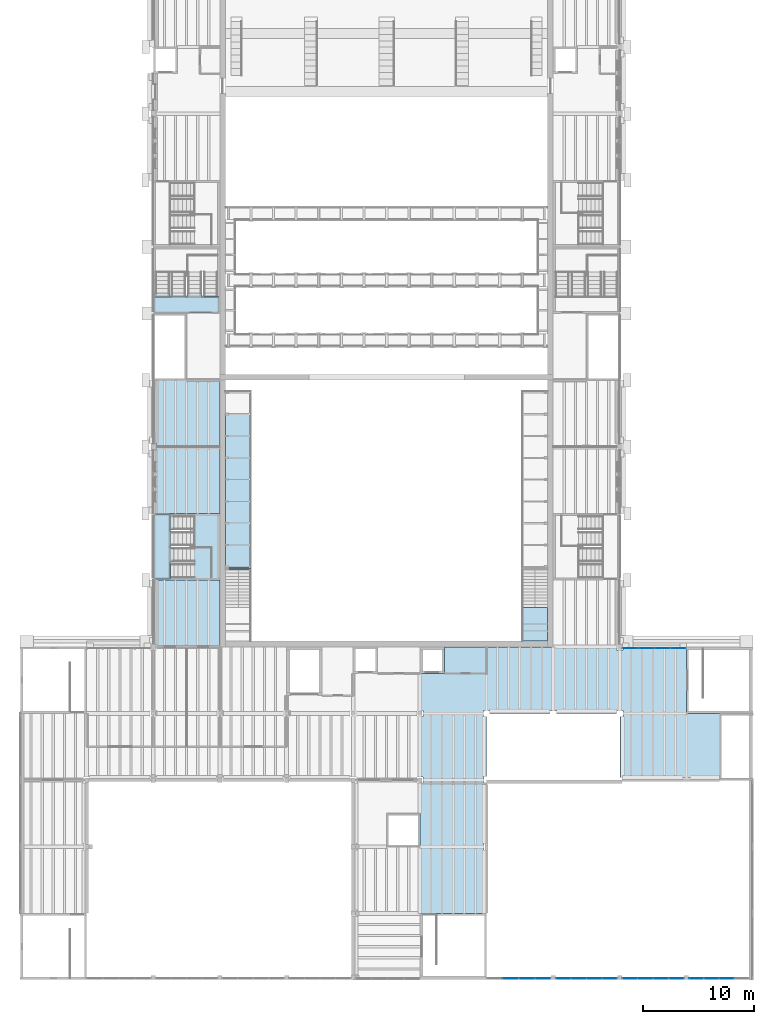
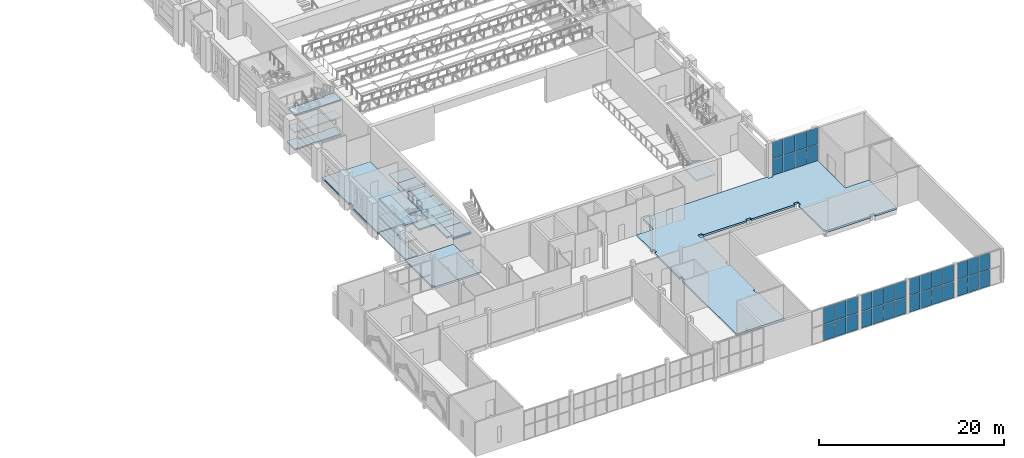
# One storey, part 18 of 70: 36 plates, 20 slabs, 8 elements without a shape of their own.
"""IFC4 building model written with IfcOpenShell, lengths in metres."""

from ifc_helpers import new_model, si_unit, direction, frame, origin, origin_2d, place, context, subcontext, project, spatial, polyline, rectangle, outline, extrude, material, layer, layer_set, type_object, element, aggregate, save


model = new_model("IFC4")

# Units and contexts
model_context = context("Model", 3, precision=1e-05, world=origin(), true_north=direction((0.0, 1.0)))
body_context = subcontext(model_context, "Body", "Model", "MODEL_VIEW")
ifc_project = project(units=[si_unit("LENGTHUNIT", "METRE"), si_unit("AREAUNIT", "SQUARE_METRE"), si_unit("VOLUMEUNIT", "CUBIC_METRE"), si_unit("PLANEANGLEUNIT", "RADIAN"), si_unit("MASSUNIT", "GRAM", prefix="KILO")], contexts=[model_context])

# Site, building, storey
site_placement = place(None, origin())
site = spatial("IfcSite", under=ifc_project, at=site_placement, CompositionType="ELEMENT")
building_placement = place(site_placement, origin())
building = spatial("IfcBuilding", under=site, at=building_placement, Name="Saffron Lane Theatres", CompositionType="ELEMENT")
storey_placement = place(building_placement, frame((0.0, 0.0, 12.0)))
storey = spatial("IfcBuildingStorey", under=building, at=storey_placement, Name="L02", CompositionType="ELEMENT", Elevation=12.0)

# Curtain wall, plates
ifc_material_1 = material(Name="Aluminium", Category="aluminium")
curtain_wall_type_1 = type_object("IfcCurtainWallType", Name="EX-CURTAIN WALL 5770x4500x160", PredefinedType="NOTDEFINED", material=ifc_material_1)
curtain_wall_1_placement = place(storey_placement, origin())
curtain_wall_1 = element("IfcCurtainWall", 1, at=curtain_wall_1_placement, inside=storey, type_object=curtain_wall_type_1, Name="Curtain wall L02 04", PredefinedType="NOTDEFINED")
ifc_material_2 = material(Name="Glass", Category="glass")
ifc_layer_1 = layer(ifc_material_2, 0.028076171875)
ifc_layer_set_1 = layer_set([ifc_layer_1], Name="Glass")
plate_type = type_object("IfcPlateType", Name="EX-CW PANEL GLAZING 28", PredefinedType="CURTAIN_PANEL", material=ifc_layer_set_1)
plate_1_placement = place(storey_placement, frame((54.9619140625, 29.8701171875, 0.06005859375), z_axis=(0.0, 0.0, 1.0), x_axis=(1.0, 0.0, 0.0)))
plate_1 = element("IfcPlate", 2, at=plate_1_placement, type_object=plate_type, Name="CW-02-04 panel 1.1", PredefinedType="CURTAIN_PANEL", context=body_context, shape_type="SweptSolid", body=[
    extrude(rectangle(XDim=1.353759765625, YDim=0.028076171875, at=origin_2d()), origin(), (0.0, 0.0, 1.0), 2.159912109375),
])
plate_2_placement = place(storey_placement, frame((54.9619140625, 29.8701171875, 2.2802734375), z_axis=(0.0, 0.0, 1.0), x_axis=(1.0, 0.0, 0.0)))
plate_2 = element("IfcPlate", 3, at=plate_2_placement, type_object=plate_type, Name="CW-02-04 panel 1.2", PredefinedType="CURTAIN_PANEL", context=body_context, shape_type="SweptSolid", body=[
    extrude(rectangle(XDim=1.353759765625, YDim=0.028076171875, at=origin_2d()), origin(), (0.0, 0.0, 1.0), 2.159912109375),
])
plate_3_placement = place(storey_placement, frame((56.390625, 29.8701171875, 0.06005859375), z_axis=(0.0, 0.0, 1.0), x_axis=(1.0, 0.0, 0.0)))
plate_3 = element("IfcPlate", 4, at=plate_3_placement, type_object=plate_type, Name="CW-02-04 panel 2.1", PredefinedType="CURTAIN_PANEL", context=body_context, shape_type="SweptSolid", body=[
    extrude(rectangle(XDim=1.3837890625, YDim=0.028076171875, at=origin_2d()), origin(), (0.0, 0.0, 1.0), 2.159912109375),
])
plate_4_placement = place(storey_placement, frame((56.390625, 29.8701171875, 2.2802734375), z_axis=(0.0, 0.0, 1.0), x_axis=(1.0, 0.0, 0.0)))
plate_4 = element("IfcPlate", 5, at=plate_4_placement, type_object=plate_type, Name="CW-02-04 panel 2.2", PredefinedType="CURTAIN_PANEL", context=body_context, shape_type="SweptSolid", body=[
    extrude(rectangle(XDim=1.3837890625, YDim=0.028076171875, at=origin_2d()), origin(), (0.0, 0.0, 1.0), 2.159912109375),
])
plate_5_placement = place(storey_placement, frame((57.83447265625, 29.8701171875, 0.06005859375), z_axis=(0.0, 0.0, 1.0), x_axis=(1.0, 0.0, 0.0)))
plate_5 = element("IfcPlate", 6, at=plate_5_placement, type_object=plate_type, Name="CW-02-04 panel 3.1", PredefinedType="CURTAIN_PANEL", context=body_context, shape_type="SweptSolid", body=[
    extrude(rectangle(XDim=1.3837890625, YDim=0.028076171875, at=origin_2d()), origin(), (0.0, 0.0, 1.0), 2.159912109375),
])
plate_6_placement = place(storey_placement, frame((57.83447265625, 29.8701171875, 2.2802734375), z_axis=(0.0, 0.0, 1.0), x_axis=(1.0, 0.0, 0.0)))
plate_6 = element("IfcPlate", 7, at=plate_6_placement, type_object=plate_type, Name="CW-02-04 panel 3.2", PredefinedType="CURTAIN_PANEL", context=body_context, shape_type="SweptSolid", body=[
    extrude(rectangle(XDim=1.3837890625, YDim=0.028076171875, at=origin_2d()), origin(), (0.0, 0.0, 1.0), 2.159912109375),
])
plate_7_placement = place(storey_placement, frame((59.26318359375, 29.8701171875, 0.06005859375), z_axis=(0.0, 0.0, 1.0), x_axis=(1.0, 0.0, 0.0)))
plate_7 = element("IfcPlate", 8, at=plate_7_placement, type_object=plate_type, Name="CW-02-04 panel 4.1", PredefinedType="CURTAIN_PANEL", context=body_context, shape_type="SweptSolid", body=[
    extrude(rectangle(XDim=1.353759765625, YDim=0.028076171875, at=origin_2d()), origin(), (0.0, 0.0, 1.0), 2.159912109375),
])
plate_8_placement = place(storey_placement, frame((59.26318359375, 29.8701171875, 2.2802734375), z_axis=(0.0, 0.0, 1.0), x_axis=(1.0, 0.0, 0.0)))
plate_8 = element("IfcPlate", 9, at=plate_8_placement, type_object=plate_type, Name="CW-02-04 panel 4.2", PredefinedType="CURTAIN_PANEL", context=body_context, shape_type="SweptSolid", body=[
    extrude(rectangle(XDim=1.353759765625, YDim=0.028076171875, at=origin_2d()), origin(), (0.0, 0.0, 1.0), 2.159912109375),
])
aggregate(curtain_wall_1, [plate_1, plate_2, plate_3, plate_4, plate_5, plate_6, plate_7, plate_8])

ifc_material_3 = material(Name="Aluminium", Category="aluminium")
curtain_wall_type_2 = type_object("IfcCurtainWallType", Name="EX-CURTAIN WALL 5440x4500x160", PredefinedType="NOTDEFINED", material=ifc_material_3)
curtain_wall_2_placement = place(storey_placement, origin())
curtain_wall_2 = element("IfcCurtainWall", 10, at=curtain_wall_2_placement, inside=storey, type_object=curtain_wall_type_2, Name="Curtain wall L02 05", PredefinedType="NOTDEFINED")
plate_9_placement = place(storey_placement, frame((63.599853515625, 0.1298828125, 0.06005859375), z_axis=(0.0, 0.0, 1.0), x_axis=(-1.0, 0.0, 0.0)))
plate_9 = element("IfcPlate", 11, at=plate_9_placement, type_object=plate_type, Name="CW-02-05 panel 2.1", PredefinedType="CURTAIN_PANEL", context=body_context, shape_type="SweptSolid", body=[
    extrude(rectangle(XDim=1.300048828125, YDim=0.028076171875, at=origin_2d()), origin(), (0.0, 0.0, 1.0), 2.159912109375),
])
plate_10_placement = place(storey_placement, frame((63.599853515625, 0.1298828125, 2.2802734375), z_axis=(0.0, 0.0, 1.0), x_axis=(-1.0, 0.0, 0.0)))
plate_10 = element("IfcPlate", 12, at=plate_10_placement, type_object=plate_type, Name="CW-02-05 panel 2.2", PredefinedType="CURTAIN_PANEL", context=body_context, shape_type="SweptSolid", body=[
    extrude(rectangle(XDim=1.300048828125, YDim=0.028076171875, at=origin_2d()), origin(), (0.0, 0.0, 1.0), 2.159912109375),
])
plate_11_placement = place(storey_placement, frame((62.239990234375, 0.1298828125, 0.06005859375), z_axis=(0.0, 0.0, 1.0), x_axis=(-1.0, 0.0, 0.0)))
plate_11 = element("IfcPlate", 13, at=plate_11_placement, type_object=plate_type, Name="CW-02-05 panel 3.1", PredefinedType="CURTAIN_PANEL", context=body_context, shape_type="SweptSolid", body=[
    extrude(rectangle(XDim=1.300048828125, YDim=0.028076171875, at=origin_2d()), origin(), (0.0, 0.0, 1.0), 2.159912109375),
])
plate_12_placement = place(storey_placement, frame((62.239990234375, 0.1298828125, 2.2802734375), z_axis=(0.0, 0.0, 1.0), x_axis=(-1.0, 0.0, 0.0)))
plate_12 = element("IfcPlate", 14, at=plate_12_placement, type_object=plate_type, Name="CW-02-05 panel 3.2", PredefinedType="CURTAIN_PANEL", context=body_context, shape_type="SweptSolid", body=[
    extrude(rectangle(XDim=1.300048828125, YDim=0.028076171875, at=origin_2d()), origin(), (0.0, 0.0, 1.0), 2.159912109375),
])
plate_13_placement = place(storey_placement, frame((60.89501953125, 0.1298828125, 0.06005859375), z_axis=(0.0, 0.0, 1.0), x_axis=(-1.0, 0.0, 0.0)))
plate_13 = element("IfcPlate", 15, at=plate_13_placement, type_object=plate_type, Name="CW-02-05 panel 4.1", PredefinedType="CURTAIN_PANEL", context=body_context, shape_type="SweptSolid", body=[
    extrude(rectangle(XDim=1.27001953125, YDim=0.028076171875, at=origin_2d()), origin(), (0.0, 0.0, 1.0), 2.159912109375),
])
plate_14_placement = place(storey_placement, frame((60.89501953125, 0.1298828125, 2.2802734375), z_axis=(0.0, 0.0, 1.0), x_axis=(-1.0, 0.0, 0.0)))
plate_14 = element("IfcPlate", 16, at=plate_14_placement, type_object=plate_type, Name="CW-02-05 panel 4.2", PredefinedType="CURTAIN_PANEL", context=body_context, shape_type="SweptSolid", body=[
    extrude(rectangle(XDim=1.27001953125, YDim=0.028076171875, at=origin_2d()), origin(), (0.0, 0.0, 1.0), 2.159912109375),
])
aggregate(curtain_wall_2, [plate_9, plate_10, plate_11, plate_12, plate_13, plate_14])

ifc_material_4 = material(Name="Aluminium", Category="aluminium")
curtain_wall_type_3 = type_object("IfcCurtainWallType", Name="EX-CURTAIN WALL 5600x4500x160", PredefinedType="NOTDEFINED", material=ifc_material_4)
curtain_wall_3_placement = place(storey_placement, origin())
curtain_wall_3 = element("IfcCurtainWall", 17, at=curtain_wall_3_placement, inside=storey, type_object=curtain_wall_type_3, Name="Curtain wall L02 06", PredefinedType="NOTDEFINED")
plate_15_placement = place(storey_placement, frame((59.0849609375, 0.1298828125, 0.06005859375), z_axis=(0.0, 0.0, 1.0), x_axis=(-1.0, 0.0, 0.0)))
plate_15 = element("IfcPlate", 18, at=plate_15_placement, type_object=plate_type, Name="CW-02-06 panel 1.1", PredefinedType="CURTAIN_PANEL", context=body_context, shape_type="SweptSolid", body=[
    extrude(rectangle(XDim=1.31005859375, YDim=0.028076171875, at=origin_2d()), origin(), (0.0, 0.0, 1.0), 2.159912109375),
])
plate_16_placement = place(storey_placement, frame((59.0849609375, 0.1298828125, 2.2802734375), z_axis=(0.0, 0.0, 1.0), x_axis=(-1.0, 0.0, 0.0)))
plate_16 = element("IfcPlate", 19, at=plate_16_placement, type_object=plate_type, Name="CW-02-06 panel 1.2", PredefinedType="CURTAIN_PANEL", context=body_context, shape_type="SweptSolid", body=[
    extrude(rectangle(XDim=1.31005859375, YDim=0.028076171875, at=origin_2d()), origin(), (0.0, 0.0, 1.0), 2.159912109375),
])
plate_17_placement = place(storey_placement, frame((57.699951171875, 0.1298828125, 0.06005859375), z_axis=(0.0, 0.0, 1.0), x_axis=(-1.0, 0.0, 0.0)))
plate_17 = element("IfcPlate", 20, at=plate_17_placement, type_object=plate_type, Name="CW-02-06 panel 2.1", PredefinedType="CURTAIN_PANEL", context=body_context, shape_type="SweptSolid", body=[
    extrude(rectangle(XDim=1.340087890625, YDim=0.028076171875, at=origin_2d()), origin(), (0.0, 0.0, 1.0), 2.159912109375),
])
plate_18_placement = place(storey_placement, frame((57.699951171875, 0.1298828125, 2.2802734375), z_axis=(0.0, 0.0, 1.0), x_axis=(-1.0, 0.0, 0.0)))
plate_18 = element("IfcPlate", 21, at=plate_18_placement, type_object=plate_type, Name="CW-02-06 panel 2.2", PredefinedType="CURTAIN_PANEL", context=body_context, shape_type="SweptSolid", body=[
    extrude(rectangle(XDim=1.340087890625, YDim=0.028076171875, at=origin_2d()), origin(), (0.0, 0.0, 1.0), 2.159912109375),
])
plate_19_placement = place(storey_placement, frame((56.300048828125, 0.1298828125, 0.06005859375), z_axis=(0.0, 0.0, 1.0), x_axis=(-1.0, 0.0, 0.0)))
plate_19 = element("IfcPlate", 22, at=plate_19_placement, type_object=plate_type, Name="CW-02-06 panel 3.1", PredefinedType="CURTAIN_PANEL", context=body_context, shape_type="SweptSolid", body=[
    extrude(rectangle(XDim=1.340087890625, YDim=0.028076171875, at=origin_2d()), origin(), (0.0, 0.0, 1.0), 2.159912109375),
])
plate_20_placement = place(storey_placement, frame((56.300048828125, 0.1298828125, 2.2802734375), z_axis=(0.0, 0.0, 1.0), x_axis=(-1.0, 0.0, 0.0)))
plate_20 = element("IfcPlate", 23, at=plate_20_placement, type_object=plate_type, Name="CW-02-06 panel 3.2", PredefinedType="CURTAIN_PANEL", context=body_context, shape_type="SweptSolid", body=[
    extrude(rectangle(XDim=1.340087890625, YDim=0.028076171875, at=origin_2d()), origin(), (0.0, 0.0, 1.0), 2.159912109375),
])
plate_21_placement = place(storey_placement, frame((54.9150390625, 0.1298828125, 0.06005859375), z_axis=(0.0, 0.0, 1.0), x_axis=(-1.0, 0.0, 0.0)))
plate_21 = element("IfcPlate", 24, at=plate_21_placement, type_object=plate_type, Name="CW-02-06 panel 4.1", PredefinedType="CURTAIN_PANEL", context=body_context, shape_type="SweptSolid", body=[
    extrude(rectangle(XDim=1.31005859375, YDim=0.028076171875, at=origin_2d()), origin(), (0.0, 0.0, 1.0), 2.159912109375),
])
plate_22_placement = place(storey_placement, frame((54.9150390625, 0.1298828125, 2.2802734375), z_axis=(0.0, 0.0, 1.0), x_axis=(-1.0, 0.0, 0.0)))
plate_22 = element("IfcPlate", 25, at=plate_22_placement, type_object=plate_type, Name="CW-02-06 panel 4.2", PredefinedType="CURTAIN_PANEL", context=body_context, shape_type="SweptSolid", body=[
    extrude(rectangle(XDim=1.31005859375, YDim=0.028076171875, at=origin_2d()), origin(), (0.0, 0.0, 1.0), 2.159912109375),
])
aggregate(curtain_wall_3, [plate_15, plate_16, plate_17, plate_18, plate_19, plate_20, plate_21, plate_22])

curtain_wall_4_placement = place(storey_placement, origin())
curtain_wall_4 = element("IfcCurtainWall", 26, at=curtain_wall_4_placement, inside=storey, type_object=curtain_wall_type_3, Name="Curtain wall L02 07", PredefinedType="NOTDEFINED")
plate_23_placement = place(storey_placement, frame((53.0849609375, 0.1298828125, 0.06005859375), z_axis=(0.0, 0.0, 1.0), x_axis=(-1.0, 0.0, 0.0)))
plate_23 = element("IfcPlate", 27, at=plate_23_placement, type_object=plate_type, Name="CW-02-07 panel 1.1", PredefinedType="CURTAIN_PANEL", context=body_context, shape_type="SweptSolid", body=[
    extrude(rectangle(XDim=1.31005859375, YDim=0.028076171875, at=origin_2d()), origin(), (0.0, 0.0, 1.0), 2.159912109375),
])
plate_24_placement = place(storey_placement, frame((53.0849609375, 0.1298828125, 2.2802734375), z_axis=(0.0, 0.0, 1.0), x_axis=(-1.0, 0.0, 0.0)))
plate_24 = element("IfcPlate", 28, at=plate_24_placement, type_object=plate_type, Name="CW-02-07 panel 1.2", PredefinedType="CURTAIN_PANEL", context=body_context, shape_type="SweptSolid", body=[
    extrude(rectangle(XDim=1.31005859375, YDim=0.028076171875, at=origin_2d()), origin(), (0.0, 0.0, 1.0), 2.159912109375),
])
plate_25_placement = place(storey_placement, frame((51.699951171875, 0.1298828125, 0.06005859375), z_axis=(0.0, 0.0, 1.0), x_axis=(-1.0, 0.0, 0.0)))
plate_25 = element("IfcPlate", 29, at=plate_25_placement, type_object=plate_type, Name="CW-02-07 panel 2.1", PredefinedType="CURTAIN_PANEL", context=body_context, shape_type="SweptSolid", body=[
    extrude(rectangle(XDim=1.340087890625, YDim=0.028076171875, at=origin_2d()), origin(), (0.0, 0.0, 1.0), 2.159912109375),
])
plate_26_placement = place(storey_placement, frame((51.699951171875, 0.1298828125, 2.2802734375), z_axis=(0.0, 0.0, 1.0), x_axis=(-1.0, 0.0, 0.0)))
plate_26 = element("IfcPlate", 30, at=plate_26_placement, type_object=plate_type, Name="CW-02-07 panel 2.2", PredefinedType="CURTAIN_PANEL", context=body_context, shape_type="SweptSolid", body=[
    extrude(rectangle(XDim=1.340087890625, YDim=0.028076171875, at=origin_2d()), origin(), (0.0, 0.0, 1.0), 2.159912109375),
])
plate_27_placement = place(storey_placement, frame((50.300048828125, 0.1298828125, 0.06005859375), z_axis=(0.0, 0.0, 1.0), x_axis=(-1.0, 0.0, 0.0)))
plate_27 = element("IfcPlate", 31, at=plate_27_placement, type_object=plate_type, Name="CW-02-07 panel 3.1", PredefinedType="CURTAIN_PANEL", context=body_context, shape_type="SweptSolid", body=[
    extrude(rectangle(XDim=1.340087890625, YDim=0.028076171875, at=origin_2d()), origin(), (0.0, 0.0, 1.0), 2.159912109375),
])
plate_28_placement = place(storey_placement, frame((50.300048828125, 0.1298828125, 2.2802734375), z_axis=(0.0, 0.0, 1.0), x_axis=(-1.0, 0.0, 0.0)))
plate_28 = element("IfcPlate", 32, at=plate_28_placement, type_object=plate_type, Name="CW-02-07 panel 3.2", PredefinedType="CURTAIN_PANEL", context=body_context, shape_type="SweptSolid", body=[
    extrude(rectangle(XDim=1.340087890625, YDim=0.028076171875, at=origin_2d()), origin(), (0.0, 0.0, 1.0), 2.159912109375),
])
plate_29_placement = place(storey_placement, frame((48.9150390625, 0.1298828125, 0.06005859375), z_axis=(0.0, 0.0, 1.0), x_axis=(-1.0, 0.0, 0.0)))
plate_29 = element("IfcPlate", 33, at=plate_29_placement, type_object=plate_type, Name="CW-02-07 panel 4.1", PredefinedType="CURTAIN_PANEL", context=body_context, shape_type="SweptSolid", body=[
    extrude(rectangle(XDim=1.31005859375, YDim=0.028076171875, at=origin_2d()), origin(), (0.0, 0.0, 1.0), 2.159912109375),
])
plate_30_placement = place(storey_placement, frame((48.9150390625, 0.1298828125, 2.2802734375), z_axis=(0.0, 0.0, 1.0), x_axis=(-1.0, 0.0, 0.0)))
plate_30 = element("IfcPlate", 34, at=plate_30_placement, type_object=plate_type, Name="CW-02-07 panel 4.2", PredefinedType="CURTAIN_PANEL", context=body_context, shape_type="SweptSolid", body=[
    extrude(rectangle(XDim=1.31005859375, YDim=0.028076171875, at=origin_2d()), origin(), (0.0, 0.0, 1.0), 2.159912109375),
])
aggregate(curtain_wall_4, [plate_23, plate_24, plate_25, plate_26, plate_27, plate_28, plate_29, plate_30])

ifc_material_5 = material(Name="Aluminium", Category="aluminium")
curtain_wall_type_4 = type_object("IfcCurtainWallType", Name="EX-CURTAIN WALL 5800x4500x160", PredefinedType="NOTDEFINED", material=ifc_material_5)
curtain_wall_5_placement = place(storey_placement, origin())
curtain_wall_5 = element("IfcCurtainWall", 35, at=curtain_wall_5_placement, inside=storey, type_object=curtain_wall_type_4, Name="Curtain wall L02 08", PredefinedType="NOTDEFINED")
plate_31_placement = place(storey_placement, frame((47.06005859375, 0.1298828125, 0.06005859375), z_axis=(0.0, 0.0, 1.0), x_axis=(-1.0, 0.0, 0.0)))
plate_31 = element("IfcPlate", 36, at=plate_31_placement, type_object=plate_type, Name="CW-02-08 panel 1.1", PredefinedType="CURTAIN_PANEL", context=body_context, shape_type="SweptSolid", body=[
    extrude(rectangle(XDim=1.360107421875, YDim=0.028076171875, at=origin_2d()), origin(), (0.0, 0.0, 1.0), 2.159912109375),
])
plate_32_placement = place(storey_placement, frame((47.06005859375, 0.1298828125, 2.2802734375), z_axis=(0.0, 0.0, 1.0), x_axis=(-1.0, 0.0, 0.0)))
plate_32 = element("IfcPlate", 37, at=plate_32_placement, type_object=plate_type, Name="CW-02-08 panel 1.2", PredefinedType="CURTAIN_PANEL", context=body_context, shape_type="SweptSolid", body=[
    extrude(rectangle(XDim=1.360107421875, YDim=0.028076171875, at=origin_2d()), origin(), (0.0, 0.0, 1.0), 2.159912109375),
])
plate_33_placement = place(storey_placement, frame((45.625, 0.1298828125, 0.06005859375), z_axis=(0.0, 0.0, 1.0), x_axis=(-1.0, 0.0, 0.0)))
plate_33 = element("IfcPlate", 38, at=plate_33_placement, type_object=plate_type, Name="CW-02-08 panel 2.1", PredefinedType="CURTAIN_PANEL", context=body_context, shape_type="SweptSolid", body=[
    extrude(rectangle(XDim=1.389892578125, YDim=0.028076171875, at=origin_2d()), origin(), (0.0, 0.0, 1.0), 2.159912109375),
])
plate_34_placement = place(storey_placement, frame((45.625, 0.1298828125, 2.2802734375), z_axis=(0.0, 0.0, 1.0), x_axis=(-1.0, 0.0, 0.0)))
plate_34 = element("IfcPlate", 39, at=plate_34_placement, type_object=plate_type, Name="CW-02-08 panel 2.2", PredefinedType="CURTAIN_PANEL", context=body_context, shape_type="SweptSolid", body=[
    extrude(rectangle(XDim=1.389892578125, YDim=0.028076171875, at=origin_2d()), origin(), (0.0, 0.0, 1.0), 2.159912109375),
])
plate_35_placement = place(storey_placement, frame((44.175048828125, 0.1298828125, 0.06005859375), z_axis=(0.0, 0.0, 1.0), x_axis=(-1.0, 0.0, 0.0)))
plate_35 = element("IfcPlate", 40, at=plate_35_placement, type_object=plate_type, Name="CW-02-08 panel 3.1", PredefinedType="CURTAIN_PANEL", context=body_context, shape_type="SweptSolid", body=[
    extrude(rectangle(XDim=1.389892578125, YDim=0.028076171875, at=origin_2d()), origin(), (0.0, 0.0, 1.0), 2.159912109375),
])
plate_36_placement = place(storey_placement, frame((44.175048828125, 0.1298828125, 2.2802734375), z_axis=(0.0, 0.0, 1.0), x_axis=(-1.0, 0.0, 0.0)))
plate_36 = element("IfcPlate", 41, at=plate_36_placement, type_object=plate_type, Name="CW-02-08 panel 3.2", PredefinedType="CURTAIN_PANEL", context=body_context, shape_type="SweptSolid", body=[
    extrude(rectangle(XDim=1.389892578125, YDim=0.028076171875, at=origin_2d()), origin(), (0.0, 0.0, 1.0), 2.159912109375),
])
aggregate(curtain_wall_5, [plate_31, plate_32, plate_33, plate_34, plate_35, plate_36])

# Slabs
ifc_material_6 = material(Name="Concrete N40 (40 MPa)", Category="concrete")
ifc_layer_2 = layer(ifc_material_6, 0.25)
ifc_layer_set_2 = layer_set([ifc_layer_2], Name="Concrete N40 (40 MPa)")
slab_type_1 = type_object("IfcSlabType", Name="RC-SLAB FLOOR 250", PredefinedType="FLOOR", material=ifc_layer_set_2)
slab_1_placement = place(storey_placement, frame((0.0, 0.0, -0.25)))
element("IfcSlab", 42, at=slab_1_placement, inside=storey, type_object=slab_type_1, Name="slab-L02-STAGE-1", PredefinedType="FLOOR", context=body_context, shape_type="SweptSolid", body=[
    extrude(outline(polyline([(18.0, 36.0), (12.0, 36.0), (12.0, 30.277099609375), (12.277099609375, 30.277099609375), (12.277099609375, 30.0), (18.0, 30.0), (18.0, 36.0)])), origin(), (0.0, 0.0, 1.0), 0.25),
])
slab_2_placement = place(storey_placement, frame((0.0, 0.0, -0.25)))
element("IfcSlab", 43, at=slab_2_placement, inside=storey, type_object=slab_type_1, Name="slab-L02-STAGE-3", PredefinedType="FLOOR", context=body_context, shape_type="SweptSolid", body=[
    extrude(outline(polyline([(18.0, 42.0), (18.0, 54.0), (15.0, 54.0), (12.0, 54.0), (12.0, 48.35205078125), (12.251953125, 48.35205078125), (12.251953125, 47.64794921875), (12.0, 47.64794921875), (12.0, 42.0), (18.0, 42.0)])), origin(), (0.0, 0.0, 1.0), 0.25),
])
slab_3_placement = place(storey_placement, frame((0.0, 0.0, -0.25)))
element("IfcSlab", 44, at=slab_3_placement, inside=storey, type_object=slab_type_1, Name="slab-L02-STUDIO", PredefinedType="FLOOR", context=body_context, shape_type="SweptSolid", body=[
    extrude(outline(polyline([(60.0, 24.0), (60.0, 30.0), (54.277099609375, 30.0), (54.277099609375, 29.722900390625), (53.722900390625, 29.722900390625), (53.722900390625, 30.0), (48.0, 30.0), (47.5, 30.0), (38.199951171875, 30.0), (38.199951171875, 27.60009765625), (36.0, 27.60009765625), (36.0, 24.277099609375), (36.277099609375, 24.277099609375), (36.277099609375, 23.722900390625), (36.0, 23.722900390625), (36.0, 18.277099609375), (36.277099609375, 18.277099609375), (36.277099609375, 17.722900390625), (36.0, 17.722900390625), (36.0, 15.0), (36.0, 12.0), (36.0, 6.0), (42.0, 6.0), (42.0, 11.697998046875), (41.77294921875, 11.697998046875), (41.77294921875, 12.302001953125), (42.0, 12.302001953125), (42.0, 17.697998046875), (41.77294921875, 17.697998046875), (41.77294921875, 18.302001953125), (42.0, 18.302001953125), (42.0, 23.722900390625), (41.722900390625, 23.722900390625), (41.722900390625, 24.277099609375), (42.277099609375, 24.277099609375), (42.277099609375, 24.0), (47.697998046875, 24.0), (47.697998046875, 24.22705078125), (48.302001953125, 24.22705078125), (48.302001953125, 24.0), (53.722900390625, 24.0), (53.722900390625, 24.277099609375), (54.277099609375, 24.277099609375), (54.277099609375, 23.722900390625), (54.0, 23.722900390625), (54.0, 18.22705078125), (54.22705078125, 18.22705078125), (54.22705078125, 18.0), (59.697998046875, 18.0), (59.697998046875, 18.22705078125), (60.302001953125, 18.22705078125), (60.302001953125, 18.0), (63.0, 18.0), (63.0, 24.0), (60.0, 24.0)])), origin(), (0.0, 0.0, 1.0), 0.25),
])
ifc_material_7 = material(Name="Steel Grade 350 chequer plate", Category="steel")
ifc_layer_3 = layer(ifc_material_7, 0.050048828125)
ifc_layer_set_3 = layer_set([ifc_layer_3], Name="Steel Grade 350 chequer plate")
slab_type_2 = type_object("IfcSlabType", Name="ST-GALLERY DECK", PredefinedType="USERDEFINED", material=ifc_layer_set_3)
slab_4_placement = place(storey_placement, frame((0.0, 0.0, -0.050048828125)))
element("IfcSlab", 45, at=slab_4_placement, inside=storey, type_object=slab_type_2, Name="FGW12-1", ObjectType="GALLERY", PredefinedType="USERDEFINED", context=body_context, shape_type="SweptSolid", body=[
    extrude(outline(polyline([(18.5, 37.10009765625), (20.800048828125, 37.10009765625), (20.800048828125, 39.16259765625), (18.5, 39.16259765625), (18.5, 37.10009765625)])), origin(), (0.0, 0.0, 1.0), 0.050048828125),
])
slab_5_placement = place(storey_placement, frame((0.0, 0.0, -0.050048828125)))
element("IfcSlab", 46, at=slab_5_placement, inside=storey, type_object=slab_type_2, Name="FGW12-2", ObjectType="GALLERY", PredefinedType="USERDEFINED", context=body_context, shape_type="SweptSolid", body=[
    extrude(outline(polyline([(18.5, 39.16259765625), (20.800048828125, 39.16259765625), (20.800048828125, 41.125), (18.5, 41.125), (18.5, 39.16259765625)])), origin(), (0.0, 0.0, 1.0), 0.050048828125),
])
slab_6_placement = place(storey_placement, frame((0.0, 0.0, -0.050048828125)))
element("IfcSlab", 47, at=slab_6_placement, inside=storey, type_object=slab_type_2, Name="FGW12-3", ObjectType="GALLERY", PredefinedType="USERDEFINED", context=body_context, shape_type="SweptSolid", body=[
    extrude(outline(polyline([(18.5, 41.125), (20.800048828125, 41.125), (20.800048828125, 43.08740234375), (18.5, 43.08740234375), (18.5, 41.125)])), origin(), (0.0, 0.0, 1.0), 0.050048828125),
])
slab_7_placement = place(storey_placement, frame((0.0, 0.0, -0.050048828125)))
element("IfcSlab", 48, at=slab_7_placement, inside=storey, type_object=slab_type_2, Name="FGW12-4", ObjectType="GALLERY", PredefinedType="USERDEFINED", context=body_context, shape_type="SweptSolid", body=[
    extrude(outline(polyline([(18.5, 43.08740234375), (20.800048828125, 43.08740234375), (20.800048828125, 45.050048828125), (18.5, 45.050048828125), (18.5, 43.08740234375)])), origin(), (0.0, 0.0, 1.0), 0.050048828125),
])
slab_8_placement = place(storey_placement, frame((0.0, 0.0, -0.050048828125)))
element("IfcSlab", 49, at=slab_8_placement, inside=storey, type_object=slab_type_2, Name="FGW12-5", ObjectType="GALLERY", PredefinedType="USERDEFINED", context=body_context, shape_type="SweptSolid", body=[
    extrude(outline(polyline([(18.5, 45.050048828125), (20.800048828125, 45.050048828125), (20.800048828125, 47.012451171875), (18.5, 47.012451171875), (18.5, 45.050048828125)])), origin(), (0.0, 0.0, 1.0), 0.050048828125),
])
slab_9_placement = place(storey_placement, frame((0.0, 0.0, -0.050048828125)))
element("IfcSlab", 50, at=slab_9_placement, inside=storey, type_object=slab_type_2, Name="FGW12-6", ObjectType="GALLERY", PredefinedType="USERDEFINED", context=body_context, shape_type="SweptSolid", body=[
    extrude(outline(polyline([(18.5, 47.012451171875), (20.800048828125, 47.012451171875), (20.800048828125, 48.97509765625), (18.5, 48.97509765625), (18.5, 47.012451171875)])), origin(), (0.0, 0.0, 1.0), 0.050048828125),
])
slab_10_placement = place(storey_placement, frame((0.0, 0.0, -0.050048828125)))
element("IfcSlab", 51, at=slab_10_placement, inside=storey, type_object=slab_type_2, Name="FGW12-7", ObjectType="GALLERY", PredefinedType="USERDEFINED", context=body_context, shape_type="SweptSolid", body=[
    extrude(outline(polyline([(18.5, 48.97509765625), (20.800048828125, 48.97509765625), (20.800048828125, 50.9375), (18.5, 50.9375), (18.5, 48.97509765625)])), origin(), (0.0, 0.0, 1.0), 0.050048828125),
])
ifc_material_8 = material(Name="Steel Grade 350 chequer plate", Category="steel")
ifc_layer_4 = layer(ifc_material_8, 0.35009765625)
ifc_layer_set_4 = layer_set([ifc_layer_4], Name="Steel Grade 350 chequer plate")
slab_type_3 = type_object("IfcSlabType", Name="ST-GALLERY LANDING PLATE", PredefinedType="USERDEFINED", material=ifc_layer_set_4)
slab_11_placement = place(storey_placement, frame((0.0, 0.0, -0.199951171875)))
element("IfcSlab", 52, at=slab_11_placement, inside=storey, type_object=slab_type_3, Name="FPW12", ObjectType="GALLERY", PredefinedType="USERDEFINED", context=body_context, shape_type="SweptSolid", body=[
    extrude(outline(polyline([(18.5, 36.89990234375), (20.800048828125, 36.89990234375), (20.800048828125, 37.10009765625), (18.5, 37.10009765625), (18.5, 36.89990234375)])), origin(), (0.0, 0.0, 1.0), 0.199951171875),
])

# Stair, slab
ifc_material_9 = material(Name="Steel Grade 350 stair", Category="steel")
stair_type_1 = type_object("IfcStairType", Name="ST-STEEL STAIR", PredefinedType="HALF_TURN_STAIR", material=ifc_material_9)
stair_1_placement = place(storey_placement, origin())
stair_1 = element("IfcStair", 53, at=stair_1_placement, inside=storey, type_object=stair_type_1, Name="STG5", PredefinedType="HALF_TURN_STAIR")
ifc_material_10 = material(Name="Steel Grade 350 chequer plate", Category="steel")
ifc_layer_5 = layer(ifc_material_10, 0.35009765625)
ifc_layer_set_5 = layer_set([ifc_layer_5], Name="Steel Grade 350 chequer plate")
slab_type_4 = type_object("IfcSlabType", Name="ST-STAIR LANDING", PredefinedType="LANDING", material=ifc_layer_set_5)
slab_12_placement = place(storey_placement, frame((0.0, 0.0, 2.050048828125)))
slab_12 = element("IfcSlab", 54, at=slab_12_placement, type_object=slab_type_4, Name="STG5 landing 1", PredefinedType="LANDING", context=body_context, shape_type="SweptSolid", body=[
    extrude(outline(polyline([(45.199951171875, 30.5), (47.5, 30.5), (47.5, 33.5400390625), (45.199951171875, 33.5400390625), (45.199951171875, 30.5)])), origin(), (0.0, 0.0, 1.0), 0.199951171875),
])
aggregate(stair_1, [slab_12])

# Stair, slabs
ifc_material_11 = material(Name="Concrete N40 (40 MPa)", Category="concrete")
stair_type_2 = type_object("IfcStairType", Name="VC-STAIR EXIT", PredefinedType="TWO_STRAIGHT_RUN_STAIR", material=ifc_material_11)
stair_2_placement = place(storey_placement, origin())
stair_2 = element("IfcStair", 55, at=stair_2_placement, inside=storey, type_object=stair_type_2, Name="Auditorium West Front Stair L02 to L03", PredefinedType="TWO_STRAIGHT_RUN_STAIR")
ifc_material_12 = material(Name="Concrete N40 (40 MPa)", Category="concrete")
ifc_layer_6 = layer(ifc_material_12, 0.199951171875)
ifc_layer_set_6 = layer_set([ifc_layer_6], Name="Concrete N40 (40 MPa)")
slab_type_5 = type_object("IfcSlabType", Name="VC-LANDING 200", PredefinedType="LANDING", material=ifc_layer_set_6)
slab_13_placement = place(storey_placement, frame((0.0, 0.0, -0.199951171875)))
slab_13 = element("IfcSlab", 56, at=slab_13_placement, type_object=slab_type_5, Name="ST15 landing 1", PredefinedType="LANDING", context=body_context, shape_type="SweptSolid", body=[
    extrude(outline(polyline([(17.89990234375, 61.5), (17.89990234375, 60.10009765625), (12.10009765625, 60.10009765625), (12.10009765625, 61.85009765625), (13.449951171875, 61.85009765625), (13.449951171875, 61.5), (16.550048828125, 61.5), (16.550048828125, 61.60009765625), (17.89990234375, 61.60009765625), (17.89990234375, 61.5), (17.89990234375, 61.5)])), origin(), (0.0, 0.0, 1.0), 0.199951171875),
])
slab_14_placement = place(storey_placement, frame((0.0, 0.0, 2.050048828125)))
slab_14 = element("IfcSlab", 57, at=slab_14_placement, type_object=slab_type_5, Name="ST15 landing 3", PredefinedType="LANDING", context=body_context, shape_type="SweptSolid", body=[
    extrude(outline(polyline([(17.89990234375, 61.5), (17.89990234375, 60.10009765625), (12.10009765625, 60.10009765625), (12.10009765625, 61.5), (13.64990234375, 61.5), (13.64990234375, 61.60009765625), (14.89990234375, 61.60009765625), (14.89990234375, 61.5), (15.10009765625, 61.5), (15.10009765625, 61.85009765625), (16.35009765625, 61.85009765625), (16.35009765625, 61.5), (17.89990234375, 61.5)])), origin(), (0.0, 0.0, 1.0), 0.199951171875),
])
slab_15_placement = place(storey_placement, frame((0.0, 0.0, 4.300048828125)))
slab_15 = element("IfcSlab", 58, at=slab_15_placement, type_object=slab_type_5, Name="ST15 landing 5", PredefinedType="LANDING", context=body_context, shape_type="SweptSolid", body=[
    extrude(outline(polyline([(17.89990234375, 61.5), (17.89990234375, 60.10009765625), (12.10009765625, 60.10009765625), (12.10009765625, 61.5), (16.550048828125, 61.5), (16.550048828125, 61.60009765625), (17.89990234375, 61.60009765625), (17.89990234375, 61.5), (17.89990234375, 61.5)])), origin(), (0.0, 0.0, 1.0), 0.199951171875),
])
aggregate(stair_2, [slab_13, slab_14, slab_15])

stair_3_placement = place(storey_placement, origin())
stair_3 = element("IfcStair", 59, at=stair_3_placement, inside=storey, type_object=stair_type_2, Name="Stage West Stair L02 to L03", PredefinedType="TWO_STRAIGHT_RUN_STAIR")
slab_16_placement = place(storey_placement, frame((0.0, 0.0, -0.199951171875)))
slab_16 = element("IfcSlab", 60, at=slab_16_placement, type_object=slab_type_5, Name="ST21 landing 1", PredefinedType="LANDING", context=body_context, shape_type="SweptSolid", body=[
    extrude(outline(polyline([(12.10009765625, 36.10009765625), (12.10009765625, 41.89990234375), (13.85009765625, 41.89990234375), (13.85009765625, 40.550048828125), (13.5, 40.550048828125), (13.5, 37.449951171875), (13.60009765625, 37.449951171875), (13.60009765625, 36.10009765625), (13.5, 36.10009765625), (13.5, 36.10009765625), (12.10009765625, 36.10009765625)])), origin(), (0.0, 0.0, 1.0), 0.199951171875),
])
slab_17_placement = place(storey_placement, frame((0.0, 0.0, 0.925048828125)))
slab_17 = element("IfcSlab", 61, at=slab_17_placement, type_object=slab_type_5, Name="ST21 landing 2", PredefinedType="LANDING", context=body_context, shape_type="SweptSolid", body=[
    extrude(outline(polyline([(15.3701171875, 38.89990234375), (15.3701171875, 40.550048828125), (15.6201171875, 40.550048828125), (15.6201171875, 41.89990234375), (17.89990234375, 41.89990234375), (17.89990234375, 36.10009765625), (17.25, 36.10009765625), (17.25, 38.89990234375), (15.3701171875, 38.89990234375)])), origin(), (0.0, 0.0, 1.0), 0.199951171875),
])
slab_18_placement = place(storey_placement, frame((0.0, 0.0, 2.050048828125)))
slab_18 = element("IfcSlab", 62, at=slab_18_placement, type_object=slab_type_5, Name="ST21 landing 3", PredefinedType="LANDING", context=body_context, shape_type="SweptSolid", body=[
    extrude(outline(polyline([(13.5, 36.10009765625), (12.10009765625, 36.10009765625), (12.10009765625, 41.89990234375), (13.5, 41.89990234375), (13.5, 40.35009765625), (13.60009765625, 40.35009765625), (13.60009765625, 39.10009765625), (13.5, 39.10009765625), (13.5, 38.89990234375), (13.85009765625, 38.89990234375), (13.85009765625, 37.64990234375), (13.5, 37.64990234375), (13.5, 36.10009765625)])), origin(), (0.0, 0.0, 1.0), 0.199951171875),
])
slab_19_placement = place(storey_placement, frame((0.0, 0.0, 3.175048828125)))
slab_19 = element("IfcSlab", 63, at=slab_19_placement, type_object=slab_type_5, Name="ST21 landing 4", PredefinedType="LANDING", context=body_context, shape_type="SweptSolid", body=[
    extrude(outline(polyline([(15.719970703125, 37.449951171875), (15.719970703125, 37.64990234375), (15.6201171875, 37.64990234375), (15.6201171875, 38.89990234375), (15.719970703125, 38.89990234375), (15.719970703125, 41.89990234375), (17.89990234375, 41.89990234375), (17.89990234375, 36.10009765625), (15.3701171875, 36.10009765625), (15.3701171875, 37.449951171875), (15.719970703125, 37.449951171875)])), origin(), (0.0, 0.0, 1.0), 0.199951171875),
])
slab_20_placement = place(storey_placement, frame((0.0, 0.0, 4.300048828125)))
slab_20 = element("IfcSlab", 64, at=slab_20_placement, type_object=slab_type_5, Name="ST21 landing 5", PredefinedType="LANDING", context=body_context, shape_type="SweptSolid", body=[
    extrude(outline(polyline([(12.10009765625, 36.10009765625), (12.10009765625, 41.89990234375), (13.5, 41.89990234375), (13.5, 37.449951171875), (13.60009765625, 37.449951171875), (13.60009765625, 36.10009765625), (13.5, 36.10009765625), (13.5, 36.10009765625), (12.10009765625, 36.10009765625)])), origin(), (0.0, 0.0, 1.0), 0.199951171875),
])
aggregate(stair_3, [slab_16, slab_17, slab_18, slab_19, slab_20])

save(model, "model.ifc")
